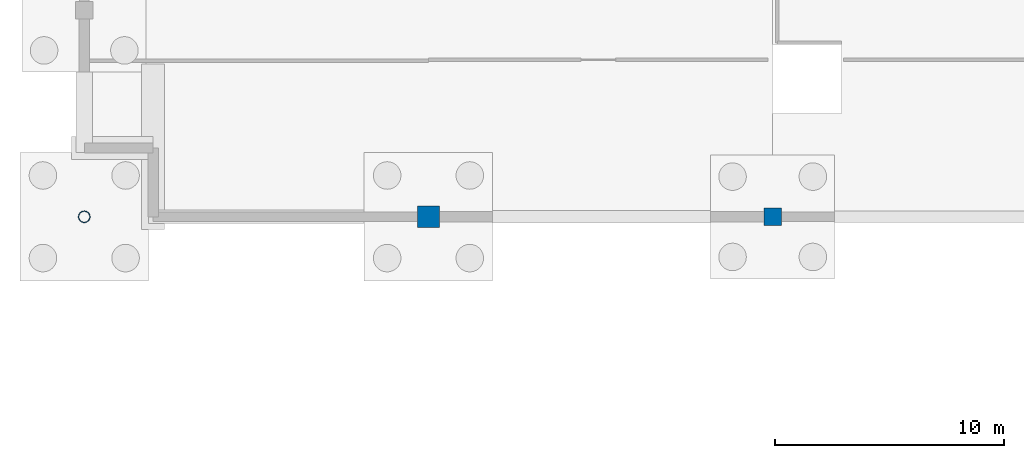
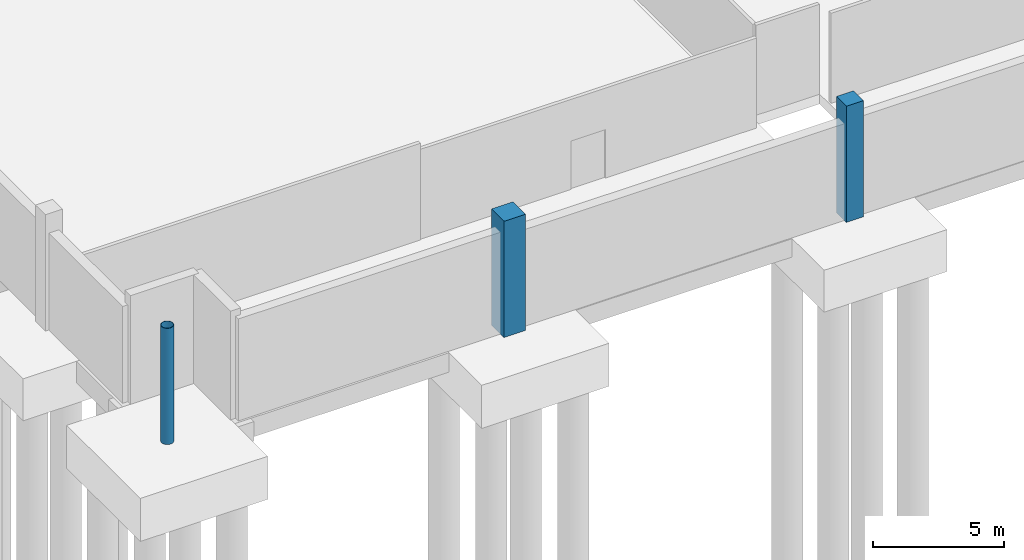
# One storey, part 12 of 58: 3 columns.
"""IFC4 building model written with IfcOpenShell, lengths in metres."""

from ifc_helpers import new_model, si_unit, direction, frame, origin, origin_2d, place, context, subcontext, project, spatial, rectangle, hollow_circle, extrude, material, material_profile, profile_set, type_object, element, save


model = new_model("IFC4")

# Units and contexts
model_context = context("Model", 3, precision=1e-05, world=origin(), true_north=direction((0.0, 1.0)))
body_context = subcontext(model_context, "Body", "Model", "MODEL_VIEW")
ifc_project = project(units=[si_unit("LENGTHUNIT", "METRE"), si_unit("AREAUNIT", "SQUARE_METRE"), si_unit("VOLUMEUNIT", "CUBIC_METRE"), si_unit("PLANEANGLEUNIT", "RADIAN"), si_unit("MASSUNIT", "GRAM", prefix="KILO")], contexts=[model_context])

# Site, building, storey
site_placement = place(None, origin())
site = spatial("IfcSite", under=ifc_project, at=site_placement, CompositionType="ELEMENT")
building_placement = place(site_placement, origin())
building = spatial("IfcBuilding", under=site, at=building_placement, Name="Qamarlyn Nura Convention Centre", CompositionType="ELEMENT")
storey_placement = place(building_placement, frame((0.0, 0.0, -5.39990234375)))
storey = spatial("IfcBuildingStorey", under=building, at=storey_placement, Name="B01", CompositionType="ELEMENT", Elevation=-5.39990234375)

# Columns
ifc_material_1 = material(Name="Pearl-white PVDF steel ASTM A500 Grade C", Category="steel")
ifc_material_profile_1 = material_profile(ifc_material_1, hollow_circle(Radius=0.25390625, WallThickness=0.02001953125, at=origin_2d()), Name="CHS508X20")
ifc_profile_set_1 = profile_set([ifc_material_profile_1], Name="Pearl-white PVDF steel ASTM A500 Grade C")
column_type_1 = type_object("IfcColumnType", Name="COL-HALL-1", PredefinedType="COLUMN", material=ifc_profile_set_1)
column_1_placement = place(storey_placement, frame((0.0, 18.0, 0.0), z_axis=(0.0, 0.0, 1.0), x_axis=(1.0, 0.0, 0.0)))
element("IfcColumn", 1, at=column_1_placement, inside=storey, type_object=column_type_1, Name="B01 column 1/C", PredefinedType="COLUMN", context=body_context, shape_type="SweptSolid", body=[
    extrude(hollow_circle(Radius=0.25390625, WallThickness=0.02001953125, at=origin_2d()), origin(), (0.0, 0.0, 1.0), 5.39990234375),
])
ifc_material_2 = material(Name="Concrete C50/60", Category="concrete")
ifc_material_profile_2 = material_profile(ifc_material_2, rectangle(XDim=0.949951171875, YDim=0.949951171875, at=origin_2d()), Name="RC 950x950")
ifc_profile_set_2 = profile_set([ifc_material_profile_2], Name="Concrete C50/60")
column_type_2 = type_object("IfcColumnType", Name="COL-HALL-2", PredefinedType="COLUMN", material=ifc_profile_set_2)
column_2_placement = place(storey_placement, frame((15.0, 18.0, 0.0), z_axis=(0.0, 0.0, 1.0), x_axis=(1.0, 0.0, 0.0)))
element("IfcColumn", 2, at=column_2_placement, inside=storey, type_object=column_type_2, Name="B01 column 2/C", PredefinedType="COLUMN", context=body_context, shape_type="SweptSolid", body=[
    extrude(rectangle(XDim=0.949951171875, YDim=0.949951171875, at=origin_2d()), origin(), (0.0, 0.0, 1.0), 5.39990234375),
])
ifc_material_profile_3 = material_profile(ifc_material_2, rectangle(XDim=0.75, YDim=0.75, at=origin_2d()), Name="RC 750x750")
ifc_profile_set_3 = profile_set([ifc_material_profile_3], Name="Concrete C50/60")
column_type_3 = type_object("IfcColumnType", Name="COL-SUB-2", PredefinedType="COLUMN", material=ifc_profile_set_3)
column_3_placement = place(storey_placement, frame((30.0, 18.0, 0.0), z_axis=(0.0, 0.0, 1.0), x_axis=(1.0, 0.0, 0.0)))
element("IfcColumn", 3, at=column_3_placement, inside=storey, type_object=column_type_3, Name="B01 column 3/C", PredefinedType="COLUMN", context=body_context, shape_type="SweptSolid", body=[
    extrude(rectangle(XDim=0.75, YDim=0.75, at=origin_2d()), origin(), (0.0, 0.0, 1.0), 5.39990234375),
])

save(model, "model.ifc")
